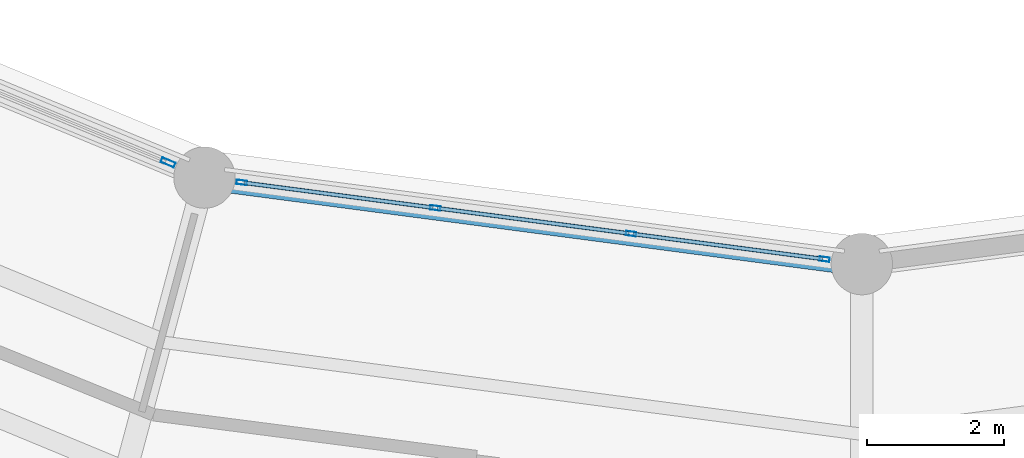
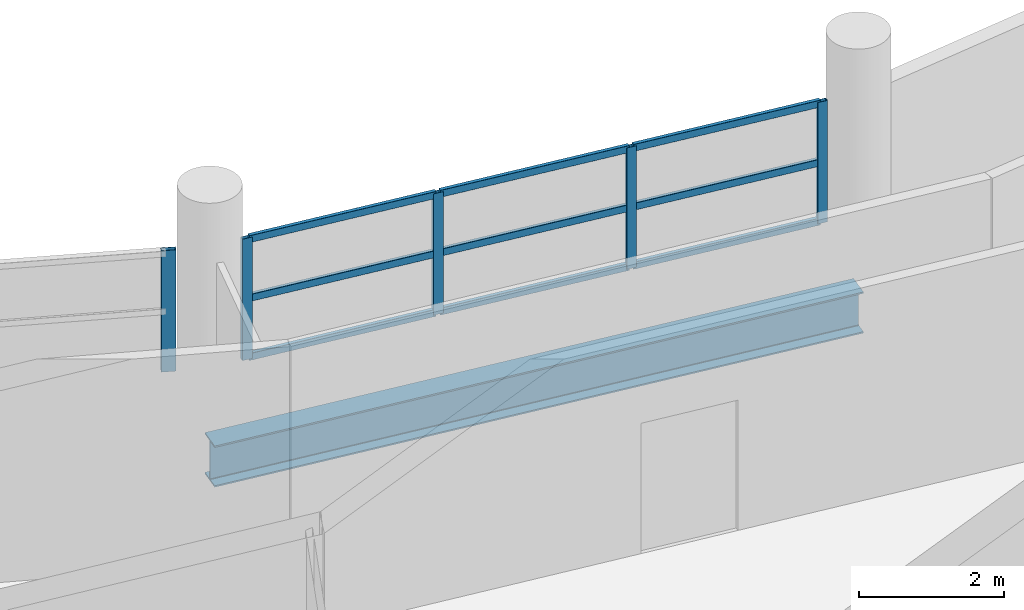
# One storey, part 38 of 108: 14 members, 1 beam, 2 elements without a shape of their own.
"""IFC4 building model written with IfcOpenShell, lengths in metres."""

from ifc_helpers import new_model, si_unit, direction, frame, origin, origin_2d, place, context, subcontext, project, spatial, hollow_rectangle, i_section, extrude, material, layer, layer_set, material_profile, profile_set, type_object, element, aggregate, save


model = new_model("IFC4")

# Units and contexts
model_context = context("Model", 3, precision=1e-05, world=origin(), true_north=direction((0.0, 1.0)))
body_context = subcontext(model_context, "Body", "Model", "MODEL_VIEW")
ifc_project = project(units=[si_unit("LENGTHUNIT", "METRE"), si_unit("AREAUNIT", "SQUARE_METRE"), si_unit("VOLUMEUNIT", "CUBIC_METRE"), si_unit("PLANEANGLEUNIT", "RADIAN"), si_unit("MASSUNIT", "GRAM", prefix="KILO")], contexts=[model_context])

# Site, building, storey
site_placement = place(None, origin())
site = spatial("IfcSite", under=ifc_project, at=site_placement, CompositionType="ELEMENT")
building_placement = place(site_placement, origin())
building = spatial("IfcBuilding", under=site, at=building_placement, Name="Vespera Passage Community Centre", CompositionType="ELEMENT")
storey_placement = place(building_placement, frame((0.0, 0.0, 12.60009765625)))
storey = spatial("IfcBuildingStorey", under=building, at=storey_placement, Name="L03", CompositionType="ELEMENT", Elevation=12.60009765625)

# Beam
ifc_material_1 = material(Name="Steel ASTM A992 Grade 50", Category="steel")
ifc_material_profile_1 = material_profile(ifc_material_1, i_section(OverallWidth=0.3544921875, OverallDepth=0.695556640625, WebThickness=0.015380859375, FlangeThickness=0.024658203125, FilletRadius=0.01513671875, at=origin_2d()), Name="W27X146")
ifc_profile_set_1 = profile_set([ifc_material_profile_1], Name="Steel ASTM A992 Grade 50")
beam_type = type_object("IfcBeamType", Name="BM-SP-W27X146E", PredefinedType="SPANDREL", material=ifc_profile_set_1)
beam_placement = place(storey_placement, frame((68.371826171875, 29.567626953125, -0.747802734375), z_axis=(0.991444794834, -0.130526697639, 0.0), x_axis=(0.130526697639, 0.991444794834, 0.0)))
element("IfcBeam", 1, at=beam_placement, inside=storey, type_object=beam_type, Name="V4 L03 Inner Spandrel 17", PredefinedType="SPANDREL", context=body_context, shape_type="SweptSolid", body=[
    extrude(i_section(OverallWidth=0.3544921875, OverallDepth=0.695556640625, WebThickness=0.015380859375, FlangeThickness=0.024658203125, FilletRadius=0.01513671875, at=origin_2d()), origin(), (0.0, 0.0, 1.0), 9.711181640625),
])

# Curtain wall, members
ifc_material_2 = material(Name="Anodized aluminium 6063-T6", Category="aluminium")
ifc_layer_1 = layer(ifc_material_2, 0.159912109375)
ifc_layer_set_1 = layer_set([ifc_layer_1], Name="Anodized aluminium 6063-T6")
curtain_wall_type_1 = type_object("IfcCurtainWallType", Name="CW-42E", PredefinedType="NOTDEFINED", material=ifc_layer_set_1)
curtain_wall_1_placement = place(storey_placement, origin())
curtain_wall_1 = element("IfcCurtainWall", 2, at=curtain_wall_1_placement, inside=storey, type_object=curtain_wall_type_1, Name="V4 L03 Inner Court Curtain Wall 17", PredefinedType="NOTDEFINED")
ifc_material_3 = material(Name="Anodized aluminium 6063-T6", Category="aluminium")
ifc_material_profile_2 = material_profile(ifc_material_3, hollow_rectangle(XDim=0.06494140625, YDim=0.14990234375, WallThickness=0.00390625, InnerFilletRadius=0.001953125, OuterFilletRadius=0.00390625, at=origin_2d()), Name="ALU150X65X4")
ifc_profile_set_2 = profile_set([ifc_material_profile_2], Name="Anodized aluminium 6063-T6")
member_type_1 = type_object("IfcMemberType", Name="MB-CWM-150E", PredefinedType="MULLION", material=ifc_profile_set_2)
member_1_placement = place(storey_placement, frame((68.917236328125, 29.495849609375, 0.81982421875), z_axis=(0.0, 0.0, 1.0), x_axis=(0.1305221941, 0.991445387728, 0.0)))
member_1 = element("IfcMember", 3, at=member_1_placement, type_object=member_type_1, Name="CW-42E mullion 1", PredefinedType="MULLION", context=body_context, shape_type="SweptSolid", body=[
    extrude(hollow_rectangle(XDim=0.06494140625, YDim=0.14990234375, WallThickness=0.00390625, InnerFilletRadius=0.001953125, OuterFilletRadius=0.00390625, at=origin_2d()), origin(), (0.0, 0.0, 1.0), 2.049560546875),
])
member_2_placement = place(storey_placement, frame((71.75244140625, 29.12255859375, 0.81982421875), z_axis=(0.0, 0.0, 1.0), x_axis=(0.1305221941, 0.991445387728, 0.0)))
member_2 = element("IfcMember", 4, at=member_2_placement, type_object=member_type_1, Name="CW-42E mullion 2", PredefinedType="MULLION", context=body_context, shape_type="SweptSolid", body=[
    extrude(hollow_rectangle(XDim=0.06494140625, YDim=0.14990234375, WallThickness=0.00390625, InnerFilletRadius=0.001953125, OuterFilletRadius=0.00390625, at=origin_2d()), origin(), (0.0, 0.0, 1.0), 2.049560546875),
])
member_3_placement = place(storey_placement, frame((74.61962890625, 28.7451171875, 0.81982421875), z_axis=(0.0, 0.0, 1.0), x_axis=(0.1305221941, 0.991445387728, 0.0)))
member_3 = element("IfcMember", 5, at=member_3_placement, type_object=member_type_1, Name="CW-42E mullion 3", PredefinedType="MULLION", context=body_context, shape_type="SweptSolid", body=[
    extrude(hollow_rectangle(XDim=0.06494140625, YDim=0.14990234375, WallThickness=0.00390625, InnerFilletRadius=0.001953125, OuterFilletRadius=0.00390625, at=origin_2d()), origin(), (0.0, 0.0, 1.0), 2.049560546875),
])
member_4_placement = place(storey_placement, frame((77.45458984375, 28.371826171875, 0.81982421875), z_axis=(0.0, 0.0, 1.0), x_axis=(0.1305221941, 0.991445387728, 0.0)))
member_4 = element("IfcMember", 6, at=member_4_placement, type_object=member_type_1, Name="CW-42E mullion 4", PredefinedType="MULLION", context=body_context, shape_type="SweptSolid", body=[
    extrude(hollow_rectangle(XDim=0.06494140625, YDim=0.14990234375, WallThickness=0.00390625, InnerFilletRadius=0.001953125, OuterFilletRadius=0.00390625, at=origin_2d()), origin(), (0.0, 0.0, 1.0), 2.049560546875),
])

# Curtain wall, member
ifc_material_4 = material(Name="Anodized aluminium 6063-T6", Category="aluminium")
ifc_layer_2 = layer(ifc_material_4, 0.159912109375)
ifc_layer_set_2 = layer_set([ifc_layer_2], Name="Anodized aluminium 6063-T6")
curtain_wall_type_2 = type_object("IfcCurtainWallType", Name="CW-40E", PredefinedType="NOTDEFINED", material=ifc_layer_set_2)
curtain_wall_2_placement = place(storey_placement, origin())
curtain_wall_2 = element("IfcCurtainWall", 7, at=curtain_wall_2_placement, inside=storey, type_object=curtain_wall_type_2, Name="V4 L03 Inner Court Curtain Wall 16", PredefinedType="NOTDEFINED")
ifc_material_5 = material(Name="Anodized aluminium 6063-T6", Category="aluminium")
ifc_material_profile_3 = material_profile(ifc_material_5, hollow_rectangle(XDim=0.074951171875, YDim=0.2099609375, WallThickness=0.0048828125, InnerFilletRadius=0.00244140625, OuterFilletRadius=0.0048828125, at=origin_2d()), Name="ALU210X75X5")
ifc_profile_set_3 = profile_set([ifc_material_profile_3], Name="Anodized aluminium 6063-T6")
member_type_2 = type_object("IfcMemberType", Name="MB-CWM-210E", PredefinedType="MULLION", material=ifc_profile_set_3)
member_5_placement = place(storey_placement, frame((67.838623046875, 29.788330078125, 0.81982421875), z_axis=(0.0, 0.0, 1.0), x_axis=(0.382690463482, 0.923876620096, 0.0)))
member_5 = element("IfcMember", 8, at=member_5_placement, type_object=member_type_2, Name="CW-40E mullion 4", PredefinedType="MULLION", context=body_context, shape_type="SweptSolid", body=[
    extrude(hollow_rectangle(XDim=0.074951171875, YDim=0.2099609375, WallThickness=0.0048828125, InnerFilletRadius=0.00244140625, OuterFilletRadius=0.0048828125, at=origin_2d()), origin(), (0.0, 0.0, 1.0), 2.049560546875),
])
aggregate(curtain_wall_2, [member_5])

# Member
ifc_material_6 = material(Name="Anodized aluminium 6063-T6", Category="aluminium")
ifc_material_profile_4 = material_profile(ifc_material_6, hollow_rectangle(XDim=0.06005859375, YDim=0.1201171875, WallThickness=0.00390625, InnerFilletRadius=0.001953125, OuterFilletRadius=0.00390625, at=origin_2d()), Name="ALU120X60X4")
ifc_profile_set_4 = profile_set([ifc_material_profile_4], Name="Anodized aluminium 6063-T6")
member_type_3 = type_object("IfcMemberType", Name="MB-CWT-120E", PredefinedType="USERDEFINED", material=ifc_profile_set_4)
member_6_placement = place(storey_placement, frame((68.949462890625, 29.491455078125, 0.849853515625), z_axis=(0.991446265366, -0.130515527399, 0.0), x_axis=(0.130515527399, 0.991446265366, 0.0)))
member_6 = element("IfcMember", 9, at=member_6_placement, type_object=member_type_3, Name="CW-42E transom 1.1", ObjectType="TRANSOM", PredefinedType="USERDEFINED", context=body_context, shape_type="SweptSolid", body=[
    extrude(hollow_rectangle(XDim=0.06005859375, YDim=0.1201171875, WallThickness=0.00390625, InnerFilletRadius=0.001953125, OuterFilletRadius=0.00390625, at=origin_2d()), origin(), (0.0, 0.0, 1.0), 2.794677734375),
])

member_7_placement = place(storey_placement, frame((68.949462890625, 29.491455078125, 1.844482421875), z_axis=(0.991446265366, -0.130515527399, 0.0), x_axis=(0.130515527399, 0.991446265366, 0.0)))
member_7 = element("IfcMember", 10, at=member_7_placement, type_object=member_type_3, Name="CW-42E transom 1.2", ObjectType="TRANSOM", PredefinedType="USERDEFINED", context=body_context, shape_type="SweptSolid", body=[
    extrude(hollow_rectangle(XDim=0.06005859375, YDim=0.1201171875, WallThickness=0.00390625, InnerFilletRadius=0.001953125, OuterFilletRadius=0.00390625, at=origin_2d()), origin(), (0.0, 0.0, 1.0), 2.794677734375),
])

member_8_placement = place(storey_placement, frame((68.949462890625, 29.491455078125, 2.83935546875), z_axis=(0.991446265366, -0.130515527399, 0.0), x_axis=(0.130515527399, 0.991446265366, 0.0)))
member_8 = element("IfcMember", 11, at=member_8_placement, type_object=member_type_3, Name="CW-42E transom 1.3", ObjectType="TRANSOM", PredefinedType="USERDEFINED", context=body_context, shape_type="SweptSolid", body=[
    extrude(hollow_rectangle(XDim=0.06005859375, YDim=0.1201171875, WallThickness=0.00390625, InnerFilletRadius=0.001953125, OuterFilletRadius=0.00390625, at=origin_2d()), origin(), (0.0, 0.0, 1.0), 2.794677734375),
])

member_9_placement = place(storey_placement, frame((71.78466796875, 29.118408203125, 0.849853515625), z_axis=(0.991437826512, -0.130579616175, 0.0), x_axis=(0.130579616175, 0.991437826512, 0.0)))
member_9 = element("IfcMember", 12, at=member_9_placement, type_object=member_type_3, Name="CW-42E transom 2.1", ObjectType="TRANSOM", PredefinedType="USERDEFINED", context=body_context, shape_type="SweptSolid", body=[
    extrude(hollow_rectangle(XDim=0.06005859375, YDim=0.1201171875, WallThickness=0.00390625, InnerFilletRadius=0.001953125, OuterFilletRadius=0.00390625, at=origin_2d()), origin(), (0.0, 0.0, 1.0), 2.826904296875),
])

member_10_placement = place(storey_placement, frame((71.78466796875, 29.118408203125, 1.844482421875), z_axis=(0.991437826512, -0.130579616175, 0.0), x_axis=(0.130579616175, 0.991437826512, 0.0)))
member_10 = element("IfcMember", 13, at=member_10_placement, type_object=member_type_3, Name="CW-42E transom 2.2", ObjectType="TRANSOM", PredefinedType="USERDEFINED", context=body_context, shape_type="SweptSolid", body=[
    extrude(hollow_rectangle(XDim=0.06005859375, YDim=0.1201171875, WallThickness=0.00390625, InnerFilletRadius=0.001953125, OuterFilletRadius=0.00390625, at=origin_2d()), origin(), (0.0, 0.0, 1.0), 2.826904296875),
])

member_11_placement = place(storey_placement, frame((71.78466796875, 29.118408203125, 2.83935546875), z_axis=(0.991437826512, -0.130579616175, 0.0), x_axis=(0.130579616175, 0.991437826512, 0.0)))
member_11 = element("IfcMember", 14, at=member_11_placement, type_object=member_type_3, Name="CW-42E transom 2.3", ObjectType="TRANSOM", PredefinedType="USERDEFINED", context=body_context, shape_type="SweptSolid", body=[
    extrude(hollow_rectangle(XDim=0.06005859375, YDim=0.1201171875, WallThickness=0.00390625, InnerFilletRadius=0.001953125, OuterFilletRadius=0.00390625, at=origin_2d()), origin(), (0.0, 0.0, 1.0), 2.826904296875),
])

member_12_placement = place(storey_placement, frame((74.65185546875, 28.74072265625, 0.849853515625), z_axis=(0.991444777059, -0.130526832651, 0.0), x_axis=(0.130526832651, 0.991444777059, 0.0)))
member_12 = element("IfcMember", 15, at=member_12_placement, type_object=member_type_3, Name="CW-42E transom 3.1", ObjectType="TRANSOM", PredefinedType="USERDEFINED", context=body_context, shape_type="SweptSolid", body=[
    extrude(hollow_rectangle(XDim=0.06005859375, YDim=0.1201171875, WallThickness=0.00390625, InnerFilletRadius=0.001953125, OuterFilletRadius=0.00390625, at=origin_2d()), origin(), (0.0, 0.0, 1.0), 2.79443359375),
])

member_13_placement = place(storey_placement, frame((74.65185546875, 28.74072265625, 1.844482421875), z_axis=(0.991444777059, -0.130526832651, 0.0), x_axis=(0.130526832651, 0.991444777059, 0.0)))
member_13 = element("IfcMember", 16, at=member_13_placement, type_object=member_type_3, Name="CW-42E transom 3.2", ObjectType="TRANSOM", PredefinedType="USERDEFINED", context=body_context, shape_type="SweptSolid", body=[
    extrude(hollow_rectangle(XDim=0.06005859375, YDim=0.1201171875, WallThickness=0.00390625, InnerFilletRadius=0.001953125, OuterFilletRadius=0.00390625, at=origin_2d()), origin(), (0.0, 0.0, 1.0), 2.79443359375),
])

member_14_placement = place(storey_placement, frame((74.65185546875, 28.74072265625, 2.83935546875), z_axis=(0.991444777059, -0.130526832651, 0.0), x_axis=(0.130526832651, 0.991444777059, 0.0)))
member_14 = element("IfcMember", 17, at=member_14_placement, type_object=member_type_3, Name="CW-42E transom 3.3", ObjectType="TRANSOM", PredefinedType="USERDEFINED", context=body_context, shape_type="SweptSolid", body=[
    extrude(hollow_rectangle(XDim=0.06005859375, YDim=0.1201171875, WallThickness=0.00390625, InnerFilletRadius=0.001953125, OuterFilletRadius=0.00390625, at=origin_2d()), origin(), (0.0, 0.0, 1.0), 2.79443359375),
])

aggregate(curtain_wall_1, [member_1, member_2, member_3, member_4, member_6, member_7, member_8, member_9, member_10, member_11, member_12, member_13, member_14])

save(model, "model.ifc")
